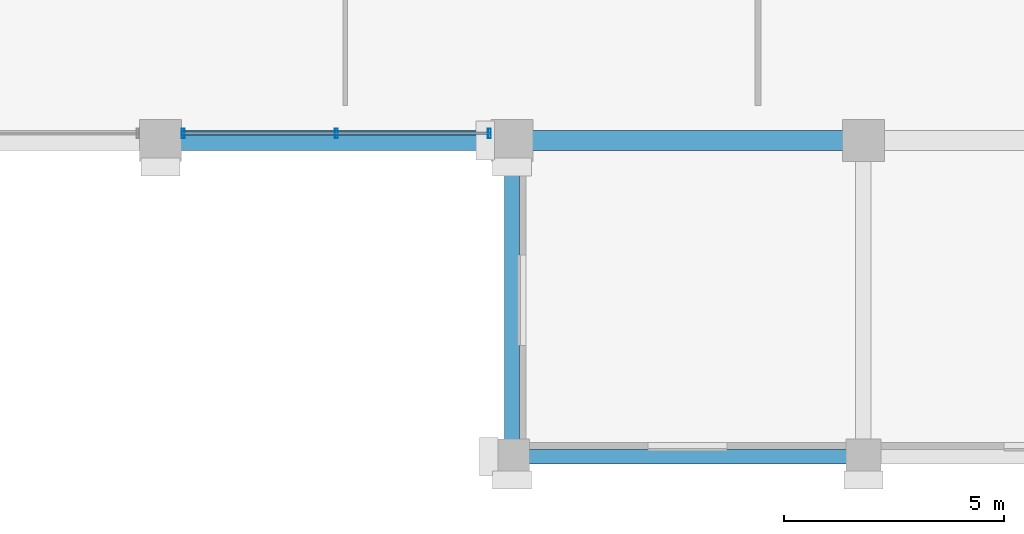
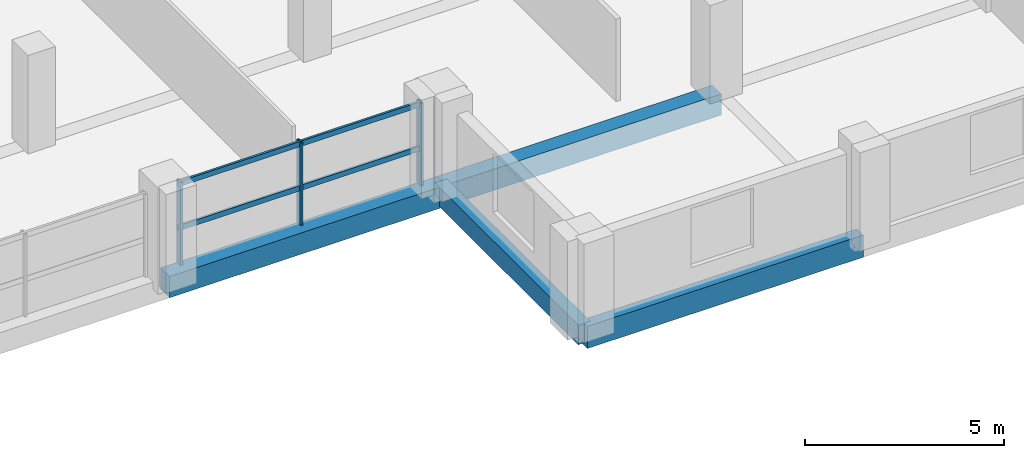
# One storey, part 7 of 23: 5 members, 4 beams, 1 element without a shape of its own.
"""IFC4 building model written with IfcOpenShell, lengths in metres."""

from ifc_helpers import new_model, si_unit, direction, frame, origin, origin_2d, place, context, subcontext, project, spatial, rectangle, hollow_rectangle, extrude, material, material_profile, profile_set, type_object, element, aggregate, save


model = new_model("IFC4")

# Units and contexts
model_context = context("Model", 3, precision=1e-05, world=origin(), true_north=direction((0.0, 1.0)))
body_context = subcontext(model_context, "Body", "Model", "MODEL_VIEW")
ifc_project = project(units=[si_unit("LENGTHUNIT", "METRE"), si_unit("AREAUNIT", "SQUARE_METRE"), si_unit("VOLUMEUNIT", "CUBIC_METRE"), si_unit("PLANEANGLEUNIT", "RADIAN"), si_unit("MASSUNIT", "GRAM", prefix="KILO")], contexts=[model_context])

# Site, building, storey
site_placement = place(None, origin())
site = spatial("IfcSite", under=ifc_project, at=site_placement, CompositionType="ELEMENT")
building_placement = place(site_placement, origin())
building = spatial("IfcBuilding", under=site, at=building_placement, Name="Akrevak Sports Hall", CompositionType="ELEMENT")
storey_placement = place(building_placement, frame((0.0, 0.0, 47.050048828125)))
storey = spatial("IfcBuildingStorey", under=building, at=storey_placement, Name="L11", CompositionType="ELEMENT", Elevation=47.050048828125)

# Curtain wall, members
ifc_material_1 = material(Name="Anodized Bronze Aluminium & Low-E Glass", Category="aluminium")
curtain_wall_type = type_object("IfcCurtainWallType", Name="ARC-CW-TWR-56x30", PredefinedType="NOTDEFINED", material=ifc_material_1)
curtain_wall_placement = place(storey_placement, origin())
curtain_wall = element("IfcCurtainWall", 1, at=curtain_wall_placement, inside=storey, type_object=curtain_wall_type, Name="Curtain Wall CW-L11-S06", PredefinedType="NOTDEFINED")
ifc_material_2 = material(Name="Anodized Bronze Aluminium", Category="aluminium")
ifc_material_profile_1 = material_profile(ifc_material_2, hollow_rectangle(XDim=0.06494140625, YDim=0.219970703125, WallThickness=0.00439453125, at=origin_2d()), Name="CWM 65x220", Category="aluminium")
ifc_profile_set_1 = profile_set([ifc_material_profile_1], Name="Anodized Bronze Aluminium")
member_type_1 = type_object("IfcMemberType", Name="ARC-CWM-70x160", PredefinedType="MULLION", material=ifc_profile_set_1)
member_1_placement = place(storey_placement, frame((84.514892578125, 28.9599609375, 0.0), z_axis=(0.0, 0.0, 1.0), x_axis=(1.0, 0.0, 0.0)))
member_1 = element("IfcMember", 2, at=member_1_placement, type_object=member_type_1, Name="Curtain Wall Mullion CW-L11-S06-M1", PredefinedType="MULLION", context=body_context, shape_type="SweptSolid", body=[
    extrude(hollow_rectangle(XDim=0.06494140625, YDim=0.219970703125, WallThickness=0.00439453125, at=origin_2d()), origin(), (0.0, 0.0, 1.0), 2.530029296875),
])
member_2_placement = place(storey_placement, frame((88.0, 28.9599609375, 0.0), z_axis=(0.0, 0.0, 1.0), x_axis=(1.0, 0.0, 0.0)))
member_2 = element("IfcMember", 3, at=member_2_placement, type_object=member_type_1, Name="Curtain Wall Mullion CW-L11-S06-M2", PredefinedType="MULLION", context=body_context, shape_type="SweptSolid", body=[
    extrude(hollow_rectangle(XDim=0.06494140625, YDim=0.219970703125, WallThickness=0.00439453125, at=origin_2d()), origin(), (0.0, 0.0, 1.0), 2.530029296875),
])
member_3_placement = place(storey_placement, frame((91.485107421875, 28.9599609375, 0.0), z_axis=(0.0, 0.0, 1.0), x_axis=(1.0, 0.0, 0.0)))
member_3 = element("IfcMember", 4, at=member_3_placement, type_object=member_type_1, Name="Curtain Wall Mullion CW-L11-S06-M3", PredefinedType="MULLION", context=body_context, shape_type="SweptSolid", body=[
    extrude(hollow_rectangle(XDim=0.06494140625, YDim=0.219970703125, WallThickness=0.00439453125, at=origin_2d()), origin(), (0.0, 0.0, 1.0), 2.530029296875),
])
ifc_material_profile_2 = material_profile(ifc_material_2, hollow_rectangle(XDim=0.06494140625, YDim=0.159912109375, WallThickness=0.00390625, at=origin_2d()), Name="CWT 65x160", Category="aluminium")
ifc_profile_set_2 = profile_set([ifc_material_profile_2], Name="Anodized Bronze Aluminium")
member_type_2 = type_object("IfcMemberType", Name="ARC-CWT-70x130", PredefinedType="USERDEFINED", material=ifc_profile_set_2)
member_4_placement = place(storey_placement, frame((84.47509765625, 28.9599609375, 1.099853515625), z_axis=(1.0, 0.0, 0.0), x_axis=(0.0, 1.0, 0.0)))
member_4 = element("IfcMember", 5, at=member_4_placement, type_object=member_type_2, Name="Curtain Wall Transom CW-L11-S06-T1", ObjectType="TRANSOM", PredefinedType="USERDEFINED", context=body_context, shape_type="SweptSolid", body=[
    extrude(hollow_rectangle(XDim=0.06494140625, YDim=0.159912109375, WallThickness=0.00390625, at=origin_2d()), origin(), (0.0, 0.0, 1.0), 7.0498046875),
])
member_5_placement = place(storey_placement, frame((84.47509765625, 28.9599609375, 2.449951171875), z_axis=(1.0, 0.0, 0.0), x_axis=(0.0, 1.0, 0.0)))
member_5 = element("IfcMember", 6, at=member_5_placement, type_object=member_type_2, Name="Curtain Wall Transom CW-L11-S06-T2", ObjectType="TRANSOM", PredefinedType="USERDEFINED", context=body_context, shape_type="SweptSolid", body=[
    extrude(hollow_rectangle(XDim=0.06494140625, YDim=0.159912109375, WallThickness=0.00390625, at=origin_2d()), origin(), (0.0, 0.0, 1.0), 7.0498046875),
])
aggregate(curtain_wall, [member_1, member_2, member_3, member_4, member_5])

# Beams
ifc_material_3 = material(Name="Concrete C40/50", Category="concrete")
ifc_material_profile_3 = material_profile(ifc_material_3, rectangle(XDim=0.35009765625, YDim=0.60009765625, at=origin_2d()), Name="BM 350x600", Category="concrete")
ifc_profile_set_3 = profile_set([ifc_material_profile_3], Name="Concrete C40/50")
beam_type_1 = type_object("IfcBeamType", Name="STR-BM-RC350x600", PredefinedType="BEAM", material=ifc_profile_set_3)
beam_1_placement = place(storey_placement, frame((92.0, 21.60009765625, -0.300048828125), z_axis=(0.0, 1.0, 0.0), x_axis=(-1.0, 0.0, 0.0)))
element("IfcBeam", 7, at=beam_1_placement, inside=storey, type_object=beam_type_1, Name="Girder 13/D-E (L11)", PredefinedType="BEAM", context=body_context, shape_type="SweptSolid", body=[
    extrude(rectangle(XDim=0.35009765625, YDim=0.60009765625, at=origin_2d()), origin(), (0.0, 0.0, 1.0), 7.199951171875),
])
ifc_material_profile_4 = material_profile(ifc_material_3, rectangle(XDim=0.449951171875, YDim=0.64990234375, at=origin_2d()), Name="BM 450x650", Category="concrete")
ifc_profile_set_4 = profile_set([ifc_material_profile_4], Name="Concrete C40/50")
beam_type_2 = type_object("IfcBeamType", Name="STR-BM-RC450x650", PredefinedType="BEAM", material=ifc_profile_set_4)
for number, where, z_axis, x_axis, name in (
    (8, (84.0, 28.800048828125, -0.324951171875), (1.0, 0.0, 0.0), (0.0, 1.0, 0.0), "Girder E/12-13 (L11)"),
    (9, (92.0, 28.800048828125, -0.324951171875), (1.0, 0.0, 0.0), (0.0, 1.0, 0.0), "Girder E/13-14 (L11)"),
):
    element("IfcBeam", number, at=place(storey_placement, frame(where, z_axis=z_axis, x_axis=x_axis)), inside=storey, type_object=beam_type_2, Name=name, PredefinedType="BEAM", context=body_context, shape_type="SweptSolid", body=[
        extrude(rectangle(XDim=0.449951171875, YDim=0.64990234375, at=origin_2d()), origin(), (0.0, 0.0, 1.0), 8.0),
    ])
ifc_material_profile_5 = material_profile(ifc_material_3, rectangle(XDim=0.320068359375, YDim=0.679931640625, at=origin_2d()), Name="SPD 320x680", Category="concrete")
ifc_profile_set_5 = profile_set([ifc_material_profile_5], Name="Concrete C40/50")
beam_type_3 = type_object("IfcBeamType", Name="STR-SPD-RC320x680", PredefinedType="SPANDREL", material=ifc_profile_set_5)
beam_2_placement = place(storey_placement, frame((92.0, 21.60009765625, -0.340087890625), z_axis=(1.0, 0.0, 0.0), x_axis=(0.0, 1.0, 0.0)))
element("IfcBeam", 10, at=beam_2_placement, inside=storey, type_object=beam_type_3, Name="Girder D/13-14 (L11)", PredefinedType="SPANDREL", context=body_context, shape_type="SweptSolid", body=[
    extrude(rectangle(XDim=0.320068359375, YDim=0.679931640625, at=origin_2d()), origin(), (0.0, 0.0, 1.0), 8.0),
])

save(model, "model.ifc")
